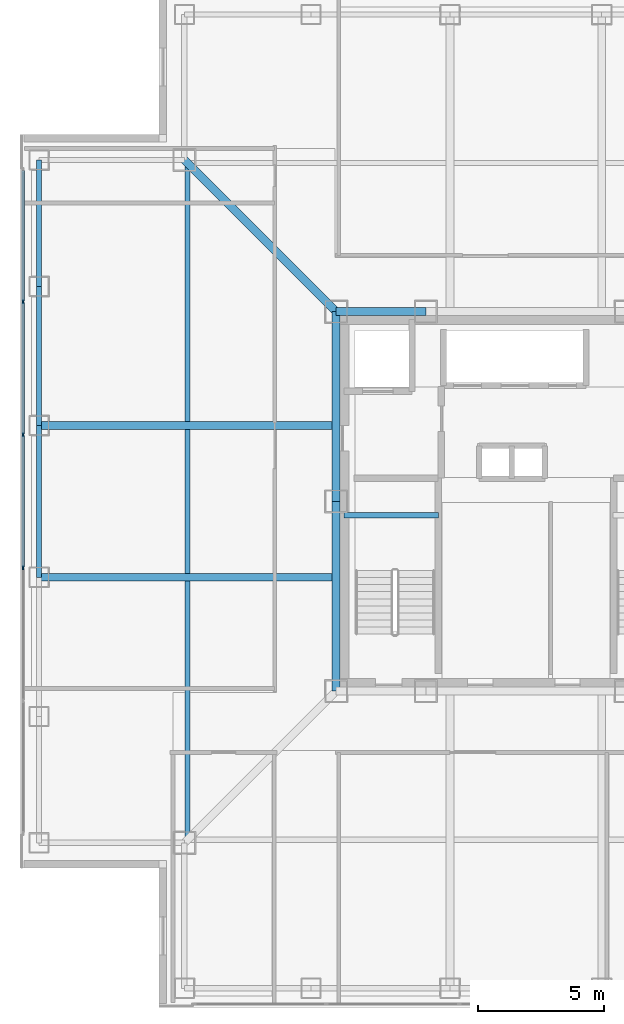
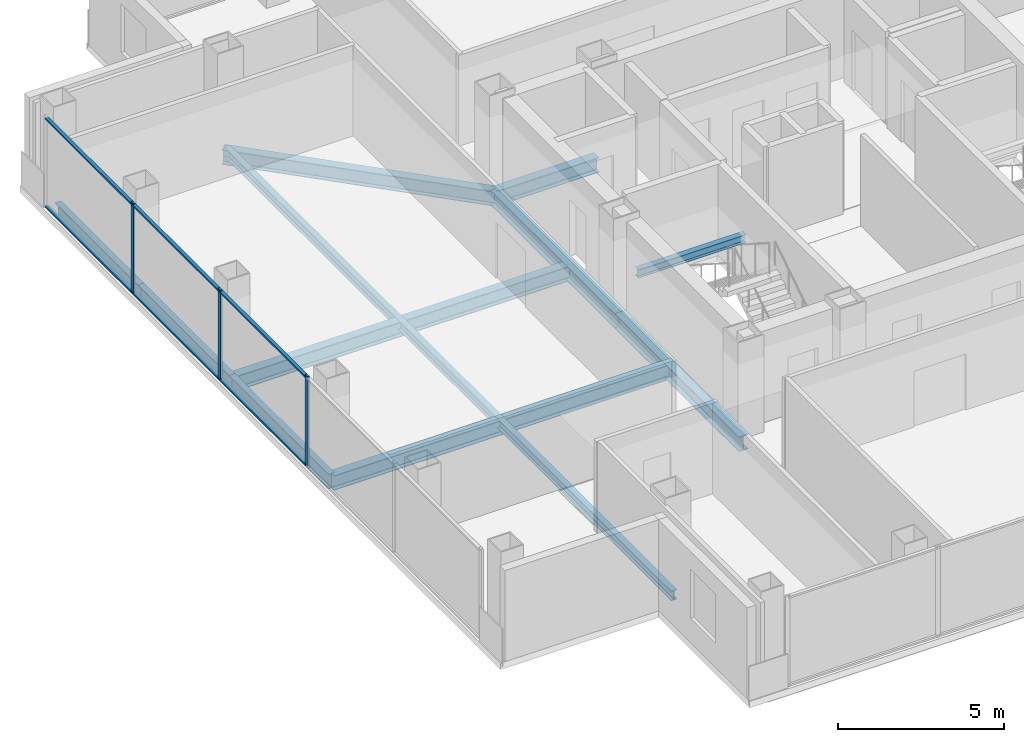
# One storey, part 4 of 18: 11 beams, 9 members, 1 element without a shape of its own.
"""IFC4 building model written with IfcOpenShell, lengths in metres."""

from ifc_helpers import new_model, si_unit, direction, frame, origin, origin_2d, place, context, subcontext, project, spatial, rectangle, i_section, extrude, material, layer, layer_set, material_profile, profile_set, type_object, element, aggregate, save


model = new_model("IFC4")

# Units and contexts
model_context = context("Model", 3, precision=1e-05, world=origin(), true_north=direction((0.0, 1.0)))
body_context = subcontext(model_context, "Body", "Model", "MODEL_VIEW")
ifc_project = project(units=[si_unit("LENGTHUNIT", "METRE"), si_unit("AREAUNIT", "SQUARE_METRE"), si_unit("VOLUMEUNIT", "CUBIC_METRE"), si_unit("PLANEANGLEUNIT", "RADIAN"), si_unit("MASSUNIT", "GRAM", prefix="KILO")], contexts=[model_context])

# Site, building, storey
site_placement = place(None, origin())
site = spatial("IfcSite", under=ifc_project, at=site_placement, CompositionType="ELEMENT")
building_placement = place(site_placement, origin())
building = spatial("IfcBuilding", under=site, at=building_placement, Name="Trevonay Congress Spire", CompositionType="ELEMENT")
storey_placement = place(building_placement, frame((0.0, 0.0, 198.60009765625)))
storey = spatial("IfcBuildingStorey", under=building, at=storey_placement, Name="L51", CompositionType="ELEMENT", Elevation=198.60009765625)

# Beams
ifc_material_1 = material(Name="Steel ASTM A572 Grade 50", Category="steel")
ifc_material_profile_1 = material_profile(ifc_material_1, i_section(OverallWidth=0.31201171875, OverallDepth=0.54296875, WebThickness=0.0126953125, FlangeThickness=0.020263671875, FilletRadius=0.014892578125, at=origin_2d()), Name="W530x150")
ifc_profile_set_1 = profile_set([ifc_material_profile_1], Name="Steel ASTM A572 Grade 50")
beam_type_1 = type_object("IfcBeamType", Name="BM-GIRD-W530X150", PredefinedType="BEAM", material=ifc_profile_set_1)
beam_1_placement = place(storey_placement, frame((-7.5, 7.5, -0.51171875), z_axis=(1.0, 0.0, 0.0), x_axis=(0.0, 1.0, 0.0)))
element("IfcBeam", 1, at=beam_1_placement, inside=storey, type_object=beam_type_1, Name="L51 structural beam BM-L51-CR-N1", PredefinedType="BEAM", context=body_context, shape_type="SweptSolid", body=[
    extrude(i_section(OverallWidth=0.31201171875, OverallDepth=0.54296875, WebThickness=0.0126953125, FlangeThickness=0.020263671875, FilletRadius=0.014892578125, at=origin_2d()), origin(), (0.0, 0.0, 1.0), 3.550048828125),
])
for number, where, z_axis, x_axis, name in (
    (2, (-7.5, -7.5, -0.51171875), (0.0, 1.0, 0.0), (-1.0, 0.0, 0.0), "L51 structural beam BM-L51-CR-W1"),
    (3, (-7.5, 0.0, -0.51171875), (0.0, 1.0, 0.0), (-1.0, 0.0, 0.0), "L51 structural beam BM-L51-CR-W2"),
):
    element("IfcBeam", number, at=place(storey_placement, frame(where, z_axis=z_axis, x_axis=x_axis)), inside=storey, type_object=beam_type_1, Name=name, PredefinedType="BEAM", context=body_context, shape_type="SweptSolid", body=[
        extrude(i_section(OverallWidth=0.31201171875, OverallDepth=0.54296875, WebThickness=0.0126953125, FlangeThickness=0.020263671875, FilletRadius=0.014892578125, at=origin_2d()), origin(), (0.0, 0.0, 1.0), 7.5),
    ])
beam_2_placement = place(storey_placement, frame((-7.5, 7.5, -0.51171875), z_axis=(-0.707106781187, 0.707106781187, 0.0), x_axis=(-0.707106781187, -0.707106781187, 0.0)))
element("IfcBeam", 4, at=beam_2_placement, inside=storey, type_object=beam_type_1, Name="L51 structural beam BM-L51-CDNW", PredefinedType="BEAM", context=body_context, shape_type="SweptSolid", body=[
    extrude(i_section(OverallWidth=0.31201171875, OverallDepth=0.54296875, WebThickness=0.0126953125, FlangeThickness=0.020263671875, FilletRadius=0.014892578125, at=origin_2d()), origin(), (0.0, 0.0, 1.0), 8.4853515625),
])
for number, where, z_axis, x_axis, name in (
    (5, (-7.5, -3.0, -0.51171875), (-1.0, 0.0, 0.0), (0.0, -1.0, 0.0), "L51 structural beam BM-L51-GW-M"),
    (6, (-7.5, 3.0, -0.51171875), (-1.0, 0.0, 0.0), (0.0, -1.0, 0.0), "L51 structural beam BM-L51-GW-P"),
):
    element("IfcBeam", number, at=place(storey_placement, frame(where, z_axis=z_axis, x_axis=x_axis)), inside=storey, type_object=beam_type_1, Name=name, PredefinedType="BEAM", context=body_context, shape_type="SweptSolid", body=[
        extrude(i_section(OverallWidth=0.31201171875, OverallDepth=0.54296875, WebThickness=0.0126953125, FlangeThickness=0.020263671875, FilletRadius=0.014892578125, at=origin_2d()), origin(), (0.0, 0.0, 1.0), 11.75),
    ])
ifc_material_profile_2 = material_profile(ifc_material_1, i_section(OverallWidth=0.2119140625, OverallDepth=0.5439453125, WebThickness=0.01318359375, FlangeThickness=0.021240234375, FilletRadius=0.014892578125, at=origin_2d()), Name="W530x123")
ifc_profile_set_2 = profile_set([ifc_material_profile_2], Name="Steel ASTM A572 Grade 50")
beam_type_2 = type_object("IfcBeamType", Name="BM-RING-W530X123", PredefinedType="BEAM", material=ifc_profile_set_2)
beam_3_placement = place(storey_placement, frame((-19.25, -3.0, -0.51220703125), z_axis=(0.0, 1.0, 0.0), x_axis=(-1.0, 0.0, 0.0)))
element("IfcBeam", 7, at=beam_3_placement, inside=storey, type_object=beam_type_2, Name="L51 structural beam BM-L51-PW3", PredefinedType="BEAM", context=body_context, shape_type="SweptSolid", body=[
    extrude(i_section(OverallWidth=0.2119140625, OverallDepth=0.5439453125, WebThickness=0.01318359375, FlangeThickness=0.021240234375, FilletRadius=0.014892578125, at=origin_2d()), origin(), (0.0, 0.0, 1.0), 6.0),
])
beam_4_placement = place(storey_placement, frame((-19.25, 3.0, -0.51220703125), z_axis=(0.0, 1.0, 0.0), x_axis=(-1.0, 0.0, 0.0)))
element("IfcBeam", 8, at=beam_4_placement, inside=storey, type_object=beam_type_2, Name="L51 structural beam BM-L51-PW4", PredefinedType="BEAM", context=body_context, shape_type="SweptSolid", body=[
    extrude(i_section(OverallWidth=0.2119140625, OverallDepth=0.5439453125, WebThickness=0.01318359375, FlangeThickness=0.021240234375, FilletRadius=0.014892578125, at=origin_2d()), origin(), (0.0, 0.0, 1.0), 5.5),
])
beam_5_placement = place(storey_placement, frame((-19.25, 8.5, -0.51220703125), z_axis=(0.0, 1.0, 0.0), x_axis=(-1.0, 0.0, 0.0)))
element("IfcBeam", 9, at=beam_5_placement, inside=storey, type_object=beam_type_2, Name="L51 structural beam BM-L51-PW5", PredefinedType="BEAM", context=body_context, shape_type="SweptSolid", body=[
    extrude(i_section(OverallWidth=0.2119140625, OverallDepth=0.5439453125, WebThickness=0.01318359375, FlangeThickness=0.021240234375, FilletRadius=0.014892578125, at=origin_2d()), origin(), (0.0, 0.0, 1.0), 5.0),
])

# Curtain wall, members
ifc_material_2 = material(Name="Pale Anodised Aluminium EN AW-6063-T6", Category="aluminium")
ifc_layer = layer(ifc_material_2, 0.169921875, Name="Pale Anodised Aluminium EN AW-6063-T6")
ifc_layer_set = layer_set([ifc_layer], Name="Pale Anodised Aluminium EN AW-6063-T6")
curtain_wall_type = type_object("IfcCurtainWallType", Name="CW-SYS04-CORP-PALE-METAL", PredefinedType="NOTDEFINED", material=ifc_layer_set)
curtain_wall_placement = place(storey_placement, origin())
curtain_wall = element("IfcCurtainWall", 10, at=curtain_wall_placement, inside=storey, type_object=curtain_wall_type, Name="L51 W unitised curtain wall", PredefinedType="NOTDEFINED")
ifc_material_profile_3 = material_profile(ifc_material_2, rectangle(XDim=0.06005859375, YDim=0.159912109375, at=origin_2d()), Name="CW-MULLION-160-ALUMINIUM")
ifc_profile_set_3 = profile_set([ifc_material_profile_3], Name="Pale Anodised Aluminium EN AW-6063-T6")
member_type_1 = type_object("IfcMemberType", Name="CW-MULLION-160-ALUMINIUM", PredefinedType="MULLION", material=ifc_profile_set_3)
member_1_placement = place(storey_placement, frame((-19.8798828125, -2.6298828125, 0.0), z_axis=(0.0, 0.0, 1.0), x_axis=(-1.0, 0.0, 0.0)))
member_1 = element("IfcMember", 11, at=member_1_placement, type_object=member_type_1, Name="CW04 mullion 3", PredefinedType="MULLION", context=body_context, shape_type="SweptSolid", body=[
    extrude(rectangle(XDim=0.06005859375, YDim=0.159912109375, at=origin_2d()), origin(), (0.0, 0.0, 1.0), 3.35986328125),
])
member_2_placement = place(storey_placement, frame((-19.8798828125, 2.6298828125, 0.0), z_axis=(0.0, 0.0, 1.0), x_axis=(-1.0, 0.0, 0.0)))
member_2 = element("IfcMember", 12, at=member_2_placement, type_object=member_type_1, Name="CW04 mullion 4", PredefinedType="MULLION", context=body_context, shape_type="SweptSolid", body=[
    extrude(rectangle(XDim=0.06005859375, YDim=0.159912109375, at=origin_2d()), origin(), (0.0, 0.0, 1.0), 3.35986328125),
])
member_3_placement = place(storey_placement, frame((-19.8798828125, 7.889892578125, 0.0), z_axis=(0.0, 0.0, 1.0), x_axis=(-1.0, 0.0, 0.0)))
member_3 = element("IfcMember", 13, at=member_3_placement, type_object=member_type_1, Name="CW04 mullion 5", PredefinedType="MULLION", context=body_context, shape_type="SweptSolid", body=[
    extrude(rectangle(XDim=0.06005859375, YDim=0.159912109375, at=origin_2d()), origin(), (0.0, 0.0, 1.0), 3.35986328125),
])
ifc_material_profile_4 = material_profile(ifc_material_2, rectangle(XDim=0.1201171875, YDim=0.06005859375, at=origin_2d()), Name="CW-TRANSOM-120-ALUMINIUM")
ifc_profile_set_4 = profile_set([ifc_material_profile_4], Name="Pale Anodised Aluminium EN AW-6063-T6")
member_type_2 = type_object("IfcMemberType", Name="CW-TRANSOM-120-ALUMINIUM", PredefinedType="USERDEFINED", material=ifc_profile_set_4)
member_4_placement = place(storey_placement, frame((-19.8798828125, -2.60009765625, 0.059814453125), z_axis=(0.0, 1.0, 0.0), x_axis=(-1.0, 0.0, 0.0)))
member_4 = element("IfcMember", 14, at=member_4_placement, type_object=member_type_2, Name="CW04 transom 3.1", ObjectType="TRANSOM", PredefinedType="USERDEFINED", context=body_context, shape_type="SweptSolid", body=[
    extrude(rectangle(XDim=0.1201171875, YDim=0.06005859375, at=origin_2d()), origin(), (0.0, 0.0, 1.0), 5.2001953125),
])
member_5_placement = place(storey_placement, frame((-19.8798828125, -2.60009765625, 3.2998046875), z_axis=(0.0, 1.0, 0.0), x_axis=(-1.0, 0.0, 0.0)))
member_5 = element("IfcMember", 15, at=member_5_placement, type_object=member_type_2, Name="CW04 transom 3.2", ObjectType="TRANSOM", PredefinedType="USERDEFINED", context=body_context, shape_type="SweptSolid", body=[
    extrude(rectangle(XDim=0.1201171875, YDim=0.06005859375, at=origin_2d()), origin(), (0.0, 0.0, 1.0), 5.2001953125),
])
member_6_placement = place(storey_placement, frame((-19.8798828125, 2.659912109375, 0.059814453125), z_axis=(0.0, 1.0, 0.0), x_axis=(-1.0, 0.0, 0.0)))
member_6 = element("IfcMember", 16, at=member_6_placement, type_object=member_type_2, Name="CW04 transom 4.1", ObjectType="TRANSOM", PredefinedType="USERDEFINED", context=body_context, shape_type="SweptSolid", body=[
    extrude(rectangle(XDim=0.1201171875, YDim=0.06005859375, at=origin_2d()), origin(), (0.0, 0.0, 1.0), 5.2001953125),
])
member_7_placement = place(storey_placement, frame((-19.8798828125, 2.659912109375, 3.2998046875), z_axis=(0.0, 1.0, 0.0), x_axis=(-1.0, 0.0, 0.0)))
member_7 = element("IfcMember", 17, at=member_7_placement, type_object=member_type_2, Name="CW04 transom 4.2", ObjectType="TRANSOM", PredefinedType="USERDEFINED", context=body_context, shape_type="SweptSolid", body=[
    extrude(rectangle(XDim=0.1201171875, YDim=0.06005859375, at=origin_2d()), origin(), (0.0, 0.0, 1.0), 5.2001953125),
])
member_8_placement = place(storey_placement, frame((-19.8798828125, 7.919921875, 0.059814453125), z_axis=(0.0, 1.0, 0.0), x_axis=(-1.0, 0.0, 0.0)))
member_8 = element("IfcMember", 18, at=member_8_placement, type_object=member_type_2, Name="CW04 transom 5.1", ObjectType="TRANSOM", PredefinedType="USERDEFINED", context=body_context, shape_type="SweptSolid", body=[
    extrude(rectangle(XDim=0.1201171875, YDim=0.06005859375, at=origin_2d()), origin(), (0.0, 0.0, 1.0), 5.170166015625),
])
member_9_placement = place(storey_placement, frame((-19.8798828125, 7.919921875, 3.2998046875), z_axis=(0.0, 1.0, 0.0), x_axis=(-1.0, 0.0, 0.0)))
member_9 = element("IfcMember", 19, at=member_9_placement, type_object=member_type_2, Name="CW04 transom 5.2", ObjectType="TRANSOM", PredefinedType="USERDEFINED", context=body_context, shape_type="SweptSolid", body=[
    extrude(rectangle(XDim=0.1201171875, YDim=0.06005859375, at=origin_2d()), origin(), (0.0, 0.0, 1.0), 5.170166015625),
])
aggregate(curtain_wall, [member_1, member_2, member_3, member_4, member_5, member_6, member_7, member_8, member_9])

# Beams
ifc_material_profile_5 = material_profile(ifc_material_1, i_section(OverallWidth=0.205078125, OverallDepth=0.35400390625, WebThickness=0.009521484375, FlangeThickness=0.016845703125, FilletRadius=0.011962890625, at=origin_2d()), Name="W360x79")
ifc_profile_set_5 = profile_set([ifc_material_profile_5], Name="Steel ASTM A572 Grade 50")
beam_type_3 = type_object("IfcBeamType", Name="JS-COMP-W360X79", PredefinedType="JOIST", material=ifc_profile_set_5)
beam_6_placement = place(storey_placement, frame((-13.375, -13.5, -0.4169921875), z_axis=(0.0, 1.0, 0.0), x_axis=(-1.0, 0.0, 0.0)))
element("IfcBeam", 20, at=beam_6_placement, inside=storey, type_object=beam_type_3, Name="L51 structural beam JS-L51-RING-W", PredefinedType="JOIST", context=body_context, shape_type="SweptSolid", body=[
    extrude(i_section(OverallWidth=0.205078125, OverallDepth=0.35400390625, WebThickness=0.009521484375, FlangeThickness=0.016845703125, FilletRadius=0.011962890625, at=origin_2d()), origin(), (0.0, 0.0, 1.0), 27.0),
])
ifc_material_profile_6 = material_profile(ifc_material_1, i_section(OverallWidth=0.2041015625, OverallDepth=0.305908203125, WebThickness=0.008544921875, FlangeThickness=0.0146484375, FilletRadius=0.010986328125, at=origin_2d()), Name="W310x67")
ifc_profile_set_6 = profile_set([ifc_material_profile_6], Name="Steel ASTM A572 Grade 50")
beam_type_4 = type_object("IfcBeamType", Name="LN-CORE-W310X67", PredefinedType="LINTEL", material=ifc_profile_set_6)
beam_7_placement = place(storey_placement, frame((-7.199951171875, -0.550048828125, 1.447021484375), z_axis=(1.0, 0.0, 0.0), x_axis=(0.0, 1.0, 0.0)))
element("IfcBeam", 21, at=beam_7_placement, inside=storey, type_object=beam_type_4, Name="L51 structural beam BM-L51-HL-ST1", PredefinedType="LINTEL", context=body_context, shape_type="SweptSolid", body=[
    extrude(i_section(OverallWidth=0.2041015625, OverallDepth=0.305908203125, WebThickness=0.008544921875, FlangeThickness=0.0146484375, FilletRadius=0.010986328125, at=origin_2d()), origin(), (0.0, 0.0, 1.0), 3.75),
])

save(model, "model.ifc")
